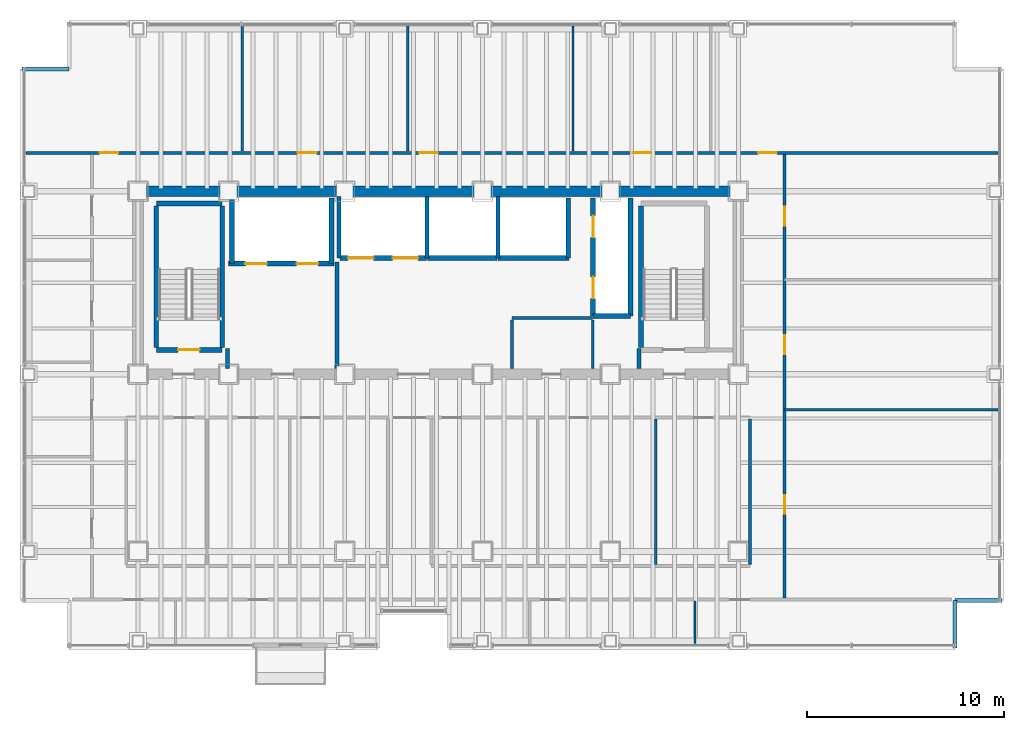
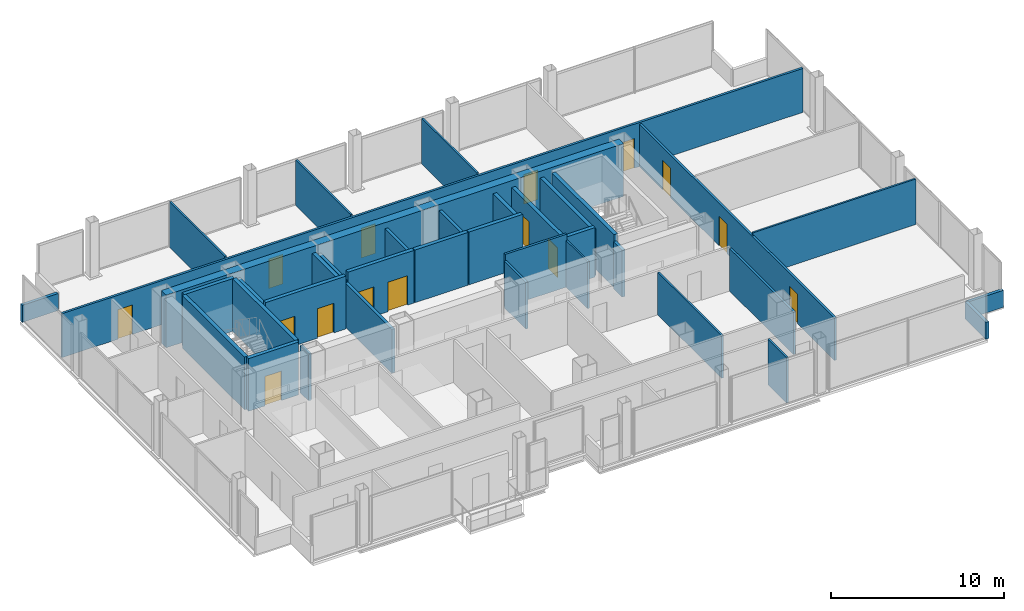
# One storey, part 18 of 20: 37 walls, 15 doors, 15 openings.
"""IFC4 building model written with IfcOpenShell, lengths in metres."""

from ifc_helpers import new_model, si_unit, direction, frame, frame_2d, origin, place, context, subcontext, project, spatial, rectangle, extrude, material, layer, layer_set, type_object, element, fill, save


model = new_model("IFC4")

# Units and contexts
model_context = context("Model", 3, precision=1e-05, world=origin(), true_north=direction((0.0, 1.0)))
body_context = subcontext(model_context, "Body", "Model", "MODEL_VIEW")
ifc_project = project(units=[si_unit("LENGTHUNIT", "METRE"), si_unit("AREAUNIT", "SQUARE_METRE"), si_unit("VOLUMEUNIT", "CUBIC_METRE"), si_unit("PLANEANGLEUNIT", "RADIAN"), si_unit("MASSUNIT", "GRAM", prefix="KILO")], contexts=[model_context])

# Site, building, storey
site_placement = place(None, origin())
site = spatial("IfcSite", under=ifc_project, at=site_placement, CompositionType="ELEMENT")
building_placement = place(site_placement, origin())
building = spatial("IfcBuilding", under=site, at=building_placement, Name="Noeulbin Bourse Tower", CompositionType="ELEMENT")
storey_placement = place(building_placement, frame((0.0, 0.0, 57.699951171875)))
storey = spatial("IfcBuildingStorey", under=building, at=storey_placement, Name="L14", CompositionType="ELEMENT", Elevation=57.699951171875)

# Walls
ifc_material_1 = material(Name="Concrete C60/75", Category="concrete")
ifc_layer_1 = layer(ifc_material_1, 0.550048828125)
ifc_layer_set_1 = layer_set([ifc_layer_1], Name="Concrete C60/75")
wall_type_1 = type_object("IfcWallType", Name="WAL-CORE-550", PredefinedType="SHEAR", material=ifc_layer_set_1)
wall_1_placement = place(storey_placement, frame((13.5, 38.300048828125, 0.0), z_axis=(0.0, 0.0, 1.0), x_axis=(1.0, 0.0, 0.0)))
element("IfcWall", 1, at=wall_1_placement, inside=storey, type_object=wall_type_1, Name="Rear Core North Shear Wall L14", PredefinedType="SHEAR", context=body_context, shape_type="SweptSolid", body=[
    extrude(rectangle(XDim=30.5, YDim=0.550048828125, at=frame_2d((15.25, 0.0))), origin(), (0.0, 0.0, 1.0), 3.719970703125),
])
ifc_material_2 = material(Name="Concrete C40/50", Category="concrete")
ifc_layer_2 = layer(ifc_material_2, 0.199951171875)
ifc_layer_set_2 = layer_set([ifc_layer_2], Name="Concrete C40/50")
wall_type_2 = type_object("IfcWallType", Name="WAL-FIRE-200", PredefinedType="STANDARD", material=ifc_layer_set_2)
for number, where, z_axis, x_axis, name in (
    (2, (18.050048828125, 29.284912109375, 0.0), (0.0, 0.0, 1.0), (0.0, 1.0, 0.0), "Interior Partition Wall L14-13"),
    (3, (38.949951171875, 29.284912109375, 0.0), (0.0, 0.0, 1.0), (0.0, 1.0, 0.0), "Interior Partition Wall L14-14"),
):
    element("IfcWall", number, at=place(storey_placement, frame(where, z_axis=z_axis, x_axis=x_axis)), inside=storey, type_object=wall_type_2, Name=name, PredefinedType="STANDARD", context=body_context, shape_type="SweptSolid", body=[
        extrude(rectangle(XDim=1.01513671875, YDim=0.199951171875, at=frame_2d((0.507568359375, 0.0))), origin(), (0.0, 0.0, 1.0), 3.300048828125),
    ])
wall_2_placement = place(storey_placement, frame((23.60009765625, 29.284912109375, 0.0), z_axis=(0.0, 0.0, 1.0), x_axis=(0.0, 1.0, 0.0)))
element("IfcWall", 4, at=wall_2_placement, inside=storey, type_object=wall_type_2, Name="Interior Partition Wall L14-15", PredefinedType="STANDARD", context=body_context, shape_type="SweptSolid", body=[
    extrude(rectangle(XDim=5.4150390625, YDim=0.199951171875, at=frame_2d((2.70751953125, 0.0))), origin(), (0.0, 0.0, 1.0), 3.10009765625),
])
ifc_layer_3 = layer(ifc_material_2, 0.199951171875)
ifc_layer_set_3 = layer_set([ifc_layer_3], Name="Concrete C40/50")
wall_type_3 = type_object("IfcWallType", Name="WAL-PAR-200", PredefinedType="PARAPET", material=ifc_layer_set_3)
for number, where, z_axis, x_axis, name in (
    (5, (55.0, 15.10009765625, 0.0), (0.0, 0.0, 1.0), (0.0, 1.0, 0.0), "Corner Notch Parapet L14-SE1"),
    (6, (55.0, 17.5, 0.0), (0.0, 0.0, 1.0), (1.0, 0.0, 0.0), "Corner Notch Parapet L14-SE2"),
    (7, (7.60009765625, 44.5, 0.0), (0.0, 0.0, 1.0), (1.0, 0.0, 0.0), "Corner Notch Parapet L14-NW1"),
):
    element("IfcWall", number, at=place(storey_placement, frame(where, z_axis=z_axis, x_axis=x_axis)), inside=storey, type_object=wall_type_3, Name=name, PredefinedType="PARAPET", context=body_context, shape_type="SweptSolid", body=[
        extrude(rectangle(XDim=2.39990234375, YDim=0.199951171875, at=frame_2d((1.199951171875, 0.0))), origin(), (0.0, 0.0, 1.0), 1.199951171875),
    ])
ifc_material_3 = material(Name="Steel Stud Gypsum Partition", Category="steel")
ifc_layer_4 = layer(ifc_material_3, 0.1201171875)
ifc_layer_set_4 = layer_set([ifc_layer_4], Name="Steel Stud Gypsum Partition")
wall_type_4 = type_object("IfcWallType", Name="WAL-PRT-120", PredefinedType="PARTITIONING", material=ifc_layer_set_4)
wall_3_placement = place(storey_placement, frame((46.35009765625, 27.199951171875, 0.0), z_axis=(0.0, 0.0, 1.0), x_axis=(1.0, 0.0, 0.0)))
element("IfcWall", 8, at=wall_3_placement, inside=storey, type_object=wall_type_4, Name="Interior Partition Wall L14-10", PredefinedType="PARTITIONING", context=body_context, shape_type="SweptSolid", body=[
    extrude(rectangle(XDim=10.83984375, YDim=0.1201171875, at=frame_2d((5.419921875, 0.0))), origin(), (0.0, 0.0, 1.0), 3.212158203125),
])
wall_4_placement = place(storey_placement, frame((36.60009765625, 29.284912109375, 0.0), z_axis=(0.0, 0.0, 1.0), x_axis=(0.0, 1.0, 0.0)))
element("IfcWall", 9, at=wall_4_placement, inside=storey, type_object=wall_type_4, Name="Interior Partition Wall L14-17", PredefinedType="PARTITIONING", context=body_context, shape_type="SweptSolid", body=[
    extrude(rectangle(XDim=2.47998046875, YDim=0.1201171875, at=frame_2d((1.239990234375, 0.0))), origin(), (0.0, 0.0, 1.0), 3.300048828125),
])
wall_5_placement = place(storey_placement, frame((41.800048828125, 15.31005859375, 0.0), z_axis=(0.0, 0.0, 1.0), x_axis=(0.0, 1.0, 0.0)))
element("IfcWall", 10, at=wall_5_placement, inside=storey, type_object=wall_type_4, Name="Interior Partition Wall L14-26", PredefinedType="PARTITIONING", context=body_context, shape_type="SweptSolid", body=[
    extrude(rectangle(XDim=2.155029296875, YDim=0.1201171875, at=frame_2d((1.07763671875, 0.0))), origin(), (0.0, 0.0, 1.0), 3.212158203125),
])
wall_6_placement = place(storey_placement, frame((39.800048828125, 19.3349609375, 0.0), z_axis=(0.0, 0.0, 1.0), x_axis=(0.0, 1.0, 0.0)))
element("IfcWall", 11, at=wall_6_placement, inside=storey, type_object=wall_type_4, Name="Interior Partition Wall L14-30", PredefinedType="PARTITIONING", context=body_context, shape_type="SweptSolid", body=[
    extrude(rectangle(XDim=7.380126953125, YDim=0.1201171875, at=frame_2d((3.68994140625, 0.0))), origin(), (0.0, 0.0, 1.0), 3.0),
])
for number, where, z_axis, x_axis, name in (
    (12, (18.800048828125, 40.3349609375, 0.0), (0.0, 0.0, 1.0), (0.0, 1.0, 0.0), "Interior Partition Wall L14-31"),
    (13, (27.199951171875, 40.3349609375, 0.0), (0.0, 0.0, 1.0), (0.0, 1.0, 0.0), "Interior Partition Wall L14-32"),
    (14, (35.60009765625, 40.3349609375, 0.0), (0.0, 0.0, 1.0), (0.0, 1.0, 0.0), "Interior Partition Wall L14-33"),
):
    element("IfcWall", number, at=place(storey_placement, frame(where, z_axis=z_axis, x_axis=x_axis)), inside=storey, type_object=wall_type_4, Name=name, PredefinedType="PARTITIONING", context=body_context, shape_type="SweptSolid", body=[
        extrude(rectangle(XDim=6.35498046875, YDim=0.1201171875, at=frame_2d((3.177490234375, 0.0))), origin(), (0.0, 0.0, 1.0), 3.212158203125),
    ])
ifc_material_4 = material(Name="Steel Stud Acoustic Gypsum Board", Category="steel")
ifc_layer_5 = layer(ifc_material_4, 0.14990234375)
ifc_layer_set_5 = layer_set([ifc_layer_5], Name="Steel Stud Acoustic Gypsum Board")
wall_type_5 = type_object("IfcWallType", Name="WAL-PRT-150", PredefinedType="PARTITIONING", material=ifc_layer_set_5)
wall_7_placement = place(storey_placement, frame((32.5, 31.85009765625, 0.0), z_axis=(0.0, 0.0, 1.0), x_axis=(1.0, 0.0, 0.0)))
element("IfcWall", 15, at=wall_7_placement, inside=storey, type_object=wall_type_5, Name="Interior Partition Wall L14-02", PredefinedType="PARTITIONING", context=body_context, shape_type="SweptSolid", body=[
    extrude(rectangle(XDim=4.10009765625, YDim=0.14990234375, at=frame_2d((2.050048828125, 0.0))), origin(), (0.0, 0.0, 1.0), 3.719970703125),
])

# Wall, openings, doors
wall_8_placement = place(storey_placement, frame((7.81005859375, 40.25, 0.0), z_axis=(0.0, 0.0, 1.0), x_axis=(1.0, 0.0, 0.0)))
wall_8 = element("IfcWall", 16, at=wall_8_placement, inside=storey, type_object=wall_type_5, Name="Interior Partition Wall L14-12", PredefinedType="PARTITIONING", context=body_context, shape_type="SweptSolid", body=[
    extrude(rectangle(XDim=49.3798828125, YDim=0.14990234375, at=frame_2d((24.68994140625, 0.0))), origin(), (0.0, 0.0, 1.0), 3.10009765625),
])
opening_1_placement = place(wall_8_placement, frame((3.72998046875, 0.0, 0.0)))
opening_1 = element("IfcOpeningElement", 17, at=opening_1_placement, cuts=wall_8, Name="Opening ID-09", PredefinedType="OPENING", context=body_context, shape_type="SweptSolid", body=[
    extrude(rectangle(XDim=0.949951171875, YDim=2.080078125, at=frame_2d((0.47509765625, 1.0400390625))), frame((0.0, 0.0849609375, 0.0), z_axis=(0.0, -1.0, 0.0), x_axis=(1.0, 0.0, 0.0)), (0.0, 0.0, 1.0), 0.169921875),
])
opening_2_placement = place(wall_8_placement, frame((13.81494140625, 0.0, 0.0)))
opening_2 = element("IfcOpeningElement", 18, at=opening_2_placement, cuts=wall_8, Name="Opening ID-09", PredefinedType="OPENING", context=body_context, shape_type="SweptSolid", body=[
    extrude(rectangle(XDim=0.949951171875, YDim=2.080078125, at=frame_2d((0.47509765625, 1.0400390625))), frame((0.0, 0.0849609375, 0.0), z_axis=(0.0, -1.0, 0.0), x_axis=(1.0, 0.0, 0.0)), (0.0, 0.0, 1.0), 0.169921875),
])
opening_3_placement = place(wall_8_placement, frame((19.965087890625, 0.0, 0.0)))
opening_3 = element("IfcOpeningElement", 19, at=opening_3_placement, cuts=wall_8, Name="Opening ID-09", PredefinedType="OPENING", context=body_context, shape_type="SweptSolid", body=[
    extrude(rectangle(XDim=0.949951171875, YDim=2.080078125, at=frame_2d((0.47509765625, 1.0400390625))), frame((0.0, 0.0849609375, 0.0), z_axis=(0.0, -1.0, 0.0), x_axis=(1.0, 0.0, 0.0)), (0.0, 0.0, 1.0), 0.169921875),
])
opening_4_placement = place(wall_8_placement, frame((30.81494140625, 0.0, 0.0)))
opening_4 = element("IfcOpeningElement", 20, at=opening_4_placement, cuts=wall_8, Name="Opening ID-09", PredefinedType="OPENING", context=body_context, shape_type="SweptSolid", body=[
    extrude(rectangle(XDim=0.949951171875, YDim=2.080078125, at=frame_2d((0.47509765625, 1.0400390625))), frame((0.0, 0.0849609375, 0.0), z_axis=(0.0, -1.0, 0.0), x_axis=(1.0, 0.0, 0.0)), (0.0, 0.0, 1.0), 0.169921875),
])
opening_5_placement = place(wall_8_placement, frame((37.199951171875, 0.0, 0.0)))
opening_5 = element("IfcOpeningElement", 21, at=opening_5_placement, cuts=wall_8, Name="Opening ID-09", PredefinedType="OPENING", context=body_context, shape_type="SweptSolid", body=[
    extrude(rectangle(XDim=0.949951171875, YDim=2.080078125, at=frame_2d((0.47509765625, 1.0400390625))), frame((0.0, 0.0849609375, 0.0), z_axis=(0.0, -1.0, 0.0), x_axis=(1.0, 0.0, 0.0)), (0.0, 0.0, 1.0), 0.169921875),
])
ifc_material_5 = material(Name="Acoustic Solid-Core Timber", Category="wood")
door_type_1 = type_object("IfcDoorType", Name="DR-SINGLE-950", OperationType="SINGLE_SWING_LEFT", PredefinedType="DOOR", material=ifc_material_5)
door_1_placement = place(opening_1_placement, origin())
door_1 = element("IfcDoor", 22, at=door_1_placement, inside=storey, type_object=door_type_1, Name="Interior Door L14-24", OperationType="SINGLE_SWING_RIGHT", OverallHeight=2.080078125, OverallWidth=0.949951171875, PredefinedType="DOOR", context=body_context, shape_type="SweptSolid", body=[
    extrude(rectangle(XDim=0.949951171875, YDim=2.080078125, at=frame_2d((0.47509765625, 1.0400390625))), frame((0.0, 0.02490234375, 0.0), z_axis=(0.0, -1.0, 0.0), x_axis=(1.0, 0.0, 0.0)), (0.0, 0.0, 1.0), 0.050048828125),
])
fill(opening_1, door_1)
door_2_placement = place(opening_2_placement, origin())
door_2 = element("IfcDoor", 23, at=door_2_placement, inside=storey, type_object=door_type_1, Name="Interior Door L14-25", OperationType="SINGLE_SWING_LEFT", OverallHeight=2.080078125, OverallWidth=0.949951171875, PredefinedType="DOOR", context=body_context, shape_type="SweptSolid", body=[
    extrude(rectangle(XDim=0.949951171875, YDim=2.080078125, at=frame_2d((0.47509765625, 1.0400390625))), frame((0.0, 0.02490234375, 0.0), z_axis=(0.0, -1.0, 0.0), x_axis=(1.0, 0.0, 0.0)), (0.0, 0.0, 1.0), 0.050048828125),
])
fill(opening_2, door_2)
door_3_placement = place(opening_3_placement, origin())
door_3 = element("IfcDoor", 24, at=door_3_placement, inside=storey, type_object=door_type_1, Name="Interior Door L14-26", OperationType="SINGLE_SWING_RIGHT", OverallHeight=2.080078125, OverallWidth=0.949951171875, PredefinedType="DOOR", context=body_context, shape_type="SweptSolid", body=[
    extrude(rectangle(XDim=0.949951171875, YDim=2.080078125, at=frame_2d((0.47509765625, 1.0400390625))), frame((0.0, 0.02490234375, 0.0), z_axis=(0.0, -1.0, 0.0), x_axis=(1.0, 0.0, 0.0)), (0.0, 0.0, 1.0), 0.050048828125),
])
fill(opening_3, door_3)
door_4_placement = place(opening_4_placement, origin())
door_4 = element("IfcDoor", 25, at=door_4_placement, inside=storey, type_object=door_type_1, Name="Interior Door L14-27", OperationType="SINGLE_SWING_LEFT", OverallHeight=2.080078125, OverallWidth=0.949951171875, PredefinedType="DOOR", context=body_context, shape_type="SweptSolid", body=[
    extrude(rectangle(XDim=0.949951171875, YDim=2.080078125, at=frame_2d((0.47509765625, 1.0400390625))), frame((0.0, 0.02490234375, 0.0), z_axis=(0.0, -1.0, 0.0), x_axis=(1.0, 0.0, 0.0)), (0.0, 0.0, 1.0), 0.050048828125),
])
fill(opening_4, door_4)
door_5_placement = place(opening_5_placement, origin())
door_5 = element("IfcDoor", 26, at=door_5_placement, inside=storey, type_object=door_type_1, Name="Interior Door L14-28", OperationType="SINGLE_SWING_RIGHT", OverallHeight=2.080078125, OverallWidth=0.949951171875, PredefinedType="DOOR", context=body_context, shape_type="SweptSolid", body=[
    extrude(rectangle(XDim=0.949951171875, YDim=2.080078125, at=frame_2d((0.47509765625, 1.0400390625))), frame((0.0, 0.02490234375, 0.0), z_axis=(0.0, -1.0, 0.0), x_axis=(1.0, 0.0, 0.0)), (0.0, 0.0, 1.0), 0.050048828125),
])
fill(opening_5, door_5)

# Wall
wall_9_placement = place(storey_placement, frame((32.5, 29.284912109375, 0.0), z_axis=(0.0, 0.0, 1.0), x_axis=(0.0, 1.0, 0.0)))
element("IfcWall", 27, at=wall_9_placement, inside=storey, type_object=wall_type_5, Name="Interior Partition Wall L14-16", PredefinedType="PARTITIONING", context=body_context, shape_type="SweptSolid", body=[
    extrude(rectangle(XDim=2.47998046875, YDim=0.14990234375, at=frame_2d((1.239990234375, 0.0))), origin(), (0.0, 0.0, 1.0), 3.300048828125),
])

# Wall, openings, doors
wall_10_placement = place(storey_placement, frame((46.35009765625, 17.635009765625, 0.0), z_axis=(0.0, 0.0, 1.0), x_axis=(0.0, 1.0, 0.0)))
wall_10 = element("IfcWall", 28, at=wall_10_placement, inside=storey, type_object=wall_type_5, Name="Interior Partition Wall L14-22", PredefinedType="PARTITIONING", context=body_context, shape_type="SweptSolid", body=[
    extrude(rectangle(XDim=22.530029296875, YDim=0.14990234375, at=frame_2d((11.26513671875, 0.0))), origin(), (0.0, 0.0, 1.0), 3.0),
])
opening_6_placement = place(wall_10_placement, frame((4.264892578125, 0.0, 0.0)))
opening_6 = element("IfcOpeningElement", 29, at=opening_6_placement, cuts=wall_10, Name="Opening ID-09", PredefinedType="OPENING", context=body_context, shape_type="SweptSolid", body=[
    extrude(rectangle(XDim=0.949951171875, YDim=2.080078125, at=frame_2d((0.47509765625, 1.0400390625))), frame((0.0, 0.0849609375, 0.0), z_axis=(0.0, -1.0, 0.0), x_axis=(1.0, 0.0, 0.0)), (0.0, 0.0, 1.0), 0.169921875),
])
opening_7_placement = place(wall_10_placement, frame((12.389892578125, 0.0, 0.0)))
opening_7 = element("IfcOpeningElement", 30, at=opening_7_placement, cuts=wall_10, Name="Opening ID-09", PredefinedType="OPENING", context=body_context, shape_type="SweptSolid", body=[
    extrude(rectangle(XDim=0.949951171875, YDim=2.080078125, at=frame_2d((0.47509765625, 1.0400390625))), frame((0.0, 0.0849609375, 0.0), z_axis=(0.0, -1.0, 0.0), x_axis=(1.0, 0.0, 0.0)), (0.0, 0.0, 1.0), 0.169921875),
])
opening_8_placement = place(wall_10_placement, frame((18.9150390625, 0.0, 0.0)))
opening_8 = element("IfcOpeningElement", 31, at=opening_8_placement, cuts=wall_10, Name="Opening ID-09", PredefinedType="OPENING", context=body_context, shape_type="SweptSolid", body=[
    extrude(rectangle(XDim=0.949951171875, YDim=2.080078125, at=frame_2d((0.47509765625, 1.0400390625))), frame((0.0, 0.0849609375, 0.0), z_axis=(0.0, -1.0, 0.0), x_axis=(1.0, 0.0, 0.0)), (0.0, 0.0, 1.0), 0.169921875),
])
door_6_placement = place(opening_6_placement, origin())
door_6 = element("IfcDoor", 32, at=door_6_placement, inside=storey, type_object=door_type_1, Name="Interior Door L14-21", OperationType="SINGLE_SWING_LEFT", OverallHeight=2.080078125, OverallWidth=0.949951171875, PredefinedType="DOOR", context=body_context, shape_type="SweptSolid", body=[
    extrude(rectangle(XDim=0.949951171875, YDim=2.080078125, at=frame_2d((0.47509765625, 1.0400390625))), frame((0.0, 0.02490234375, 0.0), z_axis=(0.0, -1.0, 0.0), x_axis=(1.0, 0.0, 0.0)), (0.0, 0.0, 1.0), 0.050048828125),
])
fill(opening_6, door_6)
door_7_placement = place(opening_7_placement, origin())
door_7 = element("IfcDoor", 33, at=door_7_placement, inside=storey, type_object=door_type_1, Name="Interior Door L14-22", OperationType="SINGLE_SWING_RIGHT", OverallHeight=2.080078125, OverallWidth=0.949951171875, PredefinedType="DOOR", context=body_context, shape_type="SweptSolid", body=[
    extrude(rectangle(XDim=0.949951171875, YDim=2.080078125, at=frame_2d((0.47509765625, 1.0400390625))), frame((0.0, 0.02490234375, 0.0), z_axis=(0.0, -1.0, 0.0), x_axis=(1.0, 0.0, 0.0)), (0.0, 0.0, 1.0), 0.050048828125),
])
fill(opening_7, door_7)
door_8_placement = place(opening_8_placement, origin())
door_8 = element("IfcDoor", 34, at=door_8_placement, inside=storey, type_object=door_type_1, Name="Interior Door L14-23", OperationType="SINGLE_SWING_LEFT", OverallHeight=2.080078125, OverallWidth=0.949951171875, PredefinedType="DOOR", context=body_context, shape_type="SweptSolid", body=[
    extrude(rectangle(XDim=0.949951171875, YDim=2.080078125, at=frame_2d((0.47509765625, 1.0400390625))), frame((0.0, 0.02490234375, 0.0), z_axis=(0.0, -1.0, 0.0), x_axis=(1.0, 0.0, 0.0)), (0.0, 0.0, 1.0), 0.050048828125),
])
fill(opening_8, door_8)

# Wall
wall_11_placement = place(storey_placement, frame((44.60009765625, 19.3349609375, 0.0), z_axis=(0.0, 0.0, 1.0), x_axis=(0.0, 1.0, 0.0)))
element("IfcWall", 35, at=wall_11_placement, inside=storey, type_object=wall_type_5, Name="Interior Partition Wall L14-23", PredefinedType="PARTITIONING", context=body_context, shape_type="SweptSolid", body=[
    extrude(rectangle(XDim=7.380126953125, YDim=0.14990234375, at=frame_2d((3.68994140625, 0.0))), origin(), (0.0, 0.0, 1.0), 3.0),
])

# Wall, opening, door
ifc_layer_6 = layer(ifc_material_2, 0.25)
ifc_layer_set_6 = layer_set([ifc_layer_6], Name="Concrete C40/50")
wall_type_6 = type_object("IfcWallType", Name="WAL-SHFT-250", PredefinedType="STANDARD", material=ifc_layer_set_6)
wall_12_placement = place(storey_placement, frame((14.429931640625, 30.235107421875, 0.0), z_axis=(0.0, 0.0, 1.0), x_axis=(1.0, 0.0, 0.0)))
wall_12 = element("IfcWall", 36, at=wall_12_placement, inside=storey, type_object=wall_type_6, Name="Stair ST-1 South Shaft Wall L14", PredefinedType="STANDARD", context=body_context, shape_type="SweptSolid", body=[
    extrude(rectangle(XDim=3.340087890625, YDim=0.25, at=frame_2d((1.669921875, 0.0))), origin(), (0.0, 0.0, 1.0), 3.719970703125),
])
opening_9_placement = place(wall_12_placement, frame((1.10009765625, 0.0, 0.0)))
opening_9 = element("IfcOpeningElement", 37, at=opening_9_placement, cuts=wall_12, Name="Opening FD-11", PredefinedType="OPENING", context=body_context, shape_type="SweptSolid", body=[
    extrude(rectangle(XDim=1.10009765625, YDim=2.080078125, at=frame_2d((0.550048828125, 1.0400390625))), frame((0.0, 0.135009765625, 0.0), z_axis=(0.0, -1.0, 0.0), x_axis=(1.0, 0.0, 0.0)), (0.0, 0.0, 1.0), 0.27001953125),
])
ifc_material_6 = material(Name="Fire-Rated Insulated Steel", Category="steel")
door_type_2 = type_object("IfcDoorType", Name="DR-FD60-1100", OperationType="SINGLE_SWING_LEFT", PredefinedType="DOOR", material=ifc_material_6)
door_9_placement = place(opening_9_placement, origin())
door_9 = element("IfcDoor", 38, at=door_9_placement, inside=storey, type_object=door_type_2, Name="Protected Stair Entry Door ST1-L14", OperationType="SINGLE_SWING_LEFT", OverallHeight=2.080078125, OverallWidth=1.10009765625, PredefinedType="DOOR", context=body_context, shape_type="SweptSolid", body=[
    extrude(rectangle(XDim=1.10009765625, YDim=2.080078125, at=frame_2d((0.550048828125, 1.0400390625))), frame((0.0, 0.02490234375, 0.0), z_axis=(0.0, -1.0, 0.0), x_axis=(1.0, 0.0, 0.0)), (0.0, 0.0, 1.0), 0.050048828125),
])
fill(opening_9, door_9)

# Walls
wall_13_placement = place(storey_placement, frame((14.429931640625, 37.6689453125, 0.0), z_axis=(0.0, 0.0, 1.0), x_axis=(1.0, 0.0, 0.0)))
element("IfcWall", 39, at=wall_13_placement, inside=storey, type_object=wall_type_6, Name="Stair ST-1 North Shaft Wall L14", PredefinedType="STANDARD", context=body_context, shape_type="SweptSolid", body=[
    extrude(rectangle(XDim=3.340087890625, YDim=0.25, at=frame_2d((1.669921875, 0.0))), origin(), (0.0, 0.0, 1.0), 3.719970703125),
])
for number, where, z_axis, x_axis, name in (
    (40, (14.425048828125, 30.360107421875, 0.0), (0.0, 0.0, 1.0), (0.0, 1.0, 0.0), "Stair ST-1 West Shaft Wall L14"),
    (41, (17.77490234375, 30.360107421875, 0.0), (0.0, 0.0, 1.0), (0.0, 1.0, 0.0), "Stair ST-1 East Shaft Wall L14"),
    (42, (39.054931640625, 30.360107421875, 0.0), (0.0, 0.0, 1.0), (0.0, 1.0, 0.0), "Stair ST-2 West Shaft Wall L14"),
):
    element("IfcWall", number, at=place(storey_placement, frame(where, z_axis=z_axis, x_axis=x_axis)), inside=storey, type_object=wall_type_6, Name=name, PredefinedType="STANDARD", context=body_context, shape_type="SweptSolid", body=[
        extrude(rectangle(XDim=7.183837890625, YDim=0.25, at=frame_2d((3.591796875, 0.0))), origin(), (0.0, 0.0, 1.0), 3.719970703125),
    ])

# Wall, openings, doors
wall_14_placement = place(storey_placement, frame((18.10009765625, 34.6201171875, 0.0), z_axis=(0.0, 0.0, 1.0), x_axis=(1.0, 0.0, 0.0)))
wall_14 = element("IfcWall", 43, at=wall_14_placement, inside=storey, type_object=wall_type_6, Name="Firefighting Lift Shaft Front L14", PredefinedType="STANDARD", context=body_context, shape_type="SweptSolid", body=[
    extrude(rectangle(XDim=5.349853515625, YDim=0.25, at=frame_2d((2.6748046875, 0.0))), origin(), (0.0, 0.0, 1.0), 3.719970703125),
])
opening_10_placement = place(wall_14_placement, frame((0.85009765625, 0.0, 0.0)))
opening_10 = element("IfcOpeningElement", 44, at=opening_10_placement, cuts=wall_14, Name="Opening LD-11", PredefinedType="OPENING", context=body_context, shape_type="SweptSolid", body=[
    extrude(rectangle(XDim=1.10009765625, YDim=2.080078125, at=frame_2d((0.550048828125, 1.0400390625))), frame((0.0, 0.135009765625, 0.0), z_axis=(0.0, -1.0, 0.0), x_axis=(1.0, 0.0, 0.0)), (0.0, 0.0, 1.0), 0.27001953125),
])
opening_11_placement = place(wall_14_placement, frame((3.449951171875, 0.0, 0.0)))
opening_11 = element("IfcOpeningElement", 45, at=opening_11_placement, cuts=wall_14, Name="Opening LD-11", PredefinedType="OPENING", context=body_context, shape_type="SweptSolid", body=[
    extrude(rectangle(XDim=1.10009765625, YDim=2.080078125, at=frame_2d((0.550048828125, 1.0400390625))), frame((0.0, 0.135009765625, 0.0), z_axis=(0.0, -1.0, 0.0), x_axis=(1.0, 0.0, 0.0)), (0.0, 0.0, 1.0), 0.27001953125),
])
ifc_material_7 = material(Name="Brushed Stainless Steel 316", Category="steel")
door_type_3 = type_object("IfcDoorType", Name="DR-LIFT-1100", OperationType="SLIDING_TO_LEFT", PredefinedType="DOOR", material=ifc_material_7)
door_10_placement = place(opening_10_placement, origin())
door_10 = element("IfcDoor", 46, at=door_10_placement, inside=storey, type_object=door_type_3, Name="Lift Landing Door LD-FL-01-L14", OperationType="SLIDING_TO_LEFT", OverallHeight=2.080078125, OverallWidth=1.10009765625, PredefinedType="DOOR", context=body_context, shape_type="SweptSolid", body=[
    extrude(rectangle(XDim=1.10009765625, YDim=2.080078125, at=frame_2d((0.550048828125, 1.0400390625))), frame((0.0, 0.02490234375, 0.0), z_axis=(0.0, -1.0, 0.0), x_axis=(1.0, 0.0, 0.0)), (0.0, 0.0, 1.0), 0.050048828125),
])
fill(opening_10, door_10)
door_11_placement = place(opening_11_placement, origin())
door_11 = element("IfcDoor", 47, at=door_11_placement, inside=storey, type_object=door_type_3, Name="Lift Landing Door LD-FL-02-L14", OperationType="SLIDING_TO_LEFT", OverallHeight=2.080078125, OverallWidth=1.10009765625, PredefinedType="DOOR", context=body_context, shape_type="SweptSolid", body=[
    extrude(rectangle(XDim=1.10009765625, YDim=2.080078125, at=frame_2d((0.550048828125, 1.0400390625))), frame((0.0, 0.02490234375, 0.0), z_axis=(0.0, -1.0, 0.0), x_axis=(1.0, 0.0, 0.0)), (0.0, 0.0, 1.0), 0.050048828125),
])
fill(opening_11, door_11)

wall_15_placement = place(storey_placement, frame((36.6201171875, 31.949951171875, 0.0), z_axis=(0.0, 0.0, 1.0), x_axis=(0.0, 1.0, 0.0)))
wall_15 = element("IfcWall", 48, at=wall_15_placement, inside=storey, type_object=wall_type_6, Name="Service Lift Shaft Wall L14", PredefinedType="STANDARD", context=body_context, shape_type="SweptSolid", body=[
    extrude(rectangle(XDim=6.0, YDim=0.25, at=frame_2d((3.0, 0.0))), origin(), (0.0, 0.0, 1.0), 3.300048828125),
])
opening_12_placement = place(wall_15_placement, frame((0.89990234375, 0.0, 0.0)))
opening_12 = element("IfcOpeningElement", 49, at=opening_12_placement, cuts=wall_15, Name="Opening LD-11", PredefinedType="OPENING", context=body_context, shape_type="SweptSolid", body=[
    extrude(rectangle(XDim=1.10009765625, YDim=2.080078125, at=frame_2d((0.550048828125, 1.0400390625))), frame((0.0, 0.135009765625, 0.0), z_axis=(0.0, -1.0, 0.0), x_axis=(1.0, 0.0, 0.0)), (0.0, 0.0, 1.0), 0.27001953125),
])
opening_13_placement = place(wall_15_placement, frame((4.0, 0.0, 0.0)))
opening_13 = element("IfcOpeningElement", 50, at=opening_13_placement, cuts=wall_15, Name="Opening LD-11", PredefinedType="OPENING", context=body_context, shape_type="SweptSolid", body=[
    extrude(rectangle(XDim=1.10009765625, YDim=2.080078125, at=frame_2d((0.550048828125, 1.0400390625))), frame((0.0, 0.135009765625, 0.0), z_axis=(0.0, -1.0, 0.0), x_axis=(1.0, 0.0, 0.0)), (0.0, 0.0, 1.0), 0.27001953125),
])
door_12_placement = place(opening_12_placement, origin())
door_12 = element("IfcDoor", 51, at=door_12_placement, inside=storey, type_object=door_type_3, Name="Lift Landing Door LD-EL-01-L14", OperationType="SLIDING_TO_LEFT", OverallHeight=2.080078125, OverallWidth=1.10009765625, PredefinedType="DOOR", context=body_context, shape_type="SweptSolid", body=[
    extrude(rectangle(XDim=1.10009765625, YDim=2.080078125, at=frame_2d((0.550048828125, 1.0400390625))), frame((0.0, 0.02490234375, 0.0), z_axis=(0.0, -1.0, 0.0), x_axis=(1.0, 0.0, 0.0)), (0.0, 0.0, 1.0), 0.050048828125),
])
fill(opening_12, door_12)
door_13_placement = place(opening_13_placement, origin())
door_13 = element("IfcDoor", 52, at=door_13_placement, inside=storey, type_object=door_type_3, Name="Lift Landing Door LD-SV-01-L14", OperationType="SLIDING_TO_LEFT", OverallHeight=2.080078125, OverallWidth=1.10009765625, PredefinedType="DOOR", context=body_context, shape_type="SweptSolid", body=[
    extrude(rectangle(XDim=1.10009765625, YDim=2.080078125, at=frame_2d((0.550048828125, 1.0400390625))), frame((0.0, 0.02490234375, 0.0), z_axis=(0.0, -1.0, 0.0), x_axis=(1.0, 0.0, 0.0)), (0.0, 0.0, 1.0), 0.050048828125),
])
fill(opening_13, door_13)

# Walls
wall_16_placement = place(storey_placement, frame((38.52001953125, 31.949951171875, 0.0), z_axis=(0.0, 0.0, 1.0), x_axis=(0.0, 1.0, 0.0)))
element("IfcWall", 53, at=wall_16_placement, inside=storey, type_object=wall_type_6, Name="Service Lift East Shaft Wall L14", PredefinedType="STANDARD", context=body_context, shape_type="SweptSolid", body=[
    extrude(rectangle(XDim=6.0, YDim=0.25, at=frame_2d((3.0, 0.0))), origin(), (0.0, 0.0, 1.0), 3.300048828125),
])
wall_17_placement = place(storey_placement, frame((36.6201171875, 31.949951171875, 0.0), z_axis=(0.0, 0.0, 1.0), x_axis=(1.0, 0.0, 0.0)))
element("IfcWall", 54, at=wall_17_placement, inside=storey, type_object=wall_type_6, Name="Service Lift South Shaft Wall L14", PredefinedType="STANDARD", context=body_context, shape_type="SweptSolid", body=[
    extrude(rectangle(XDim=1.89990234375, YDim=0.25, at=frame_2d((0.949951171875, 0.0))), origin(), (0.0, 0.0, 1.0), 3.47998046875),
])
for number, where, z_axis, x_axis, name in (
    (55, (18.280029296875, 34.6201171875, 0.0), (0.0, 0.0, 1.0), (0.0, 1.0, 0.0), "Firefighting Lift West Shaft Wall L14"),
    (56, (23.320068359375, 34.6201171875, 0.0), (0.0, 0.0, 1.0), (0.0, 1.0, 0.0), "Firefighting Lift East Shaft Wall L14"),
):
    element("IfcWall", number, at=place(storey_placement, frame(where, z_axis=z_axis, x_axis=x_axis)), inside=storey, type_object=wall_type_6, Name=name, PredefinedType="STANDARD", context=body_context, shape_type="SweptSolid", body=[
        extrude(rectangle(XDim=3.329833984375, YDim=0.25, at=frame_2d((1.6650390625, 0.0))), origin(), (0.0, 0.0, 1.0), 3.300048828125),
    ])
wall_18_placement = place(storey_placement, frame((35.360107421875, 34.89990234375, 0.0), z_axis=(0.0, 0.0, 1.0), x_axis=(0.0, 1.0, 0.0)))
element("IfcWall", 57, at=wall_18_placement, inside=storey, type_object=wall_type_6, Name="High-Rise Lift East Shaft Wall L14", PredefinedType="STANDARD", context=body_context, shape_type="SweptSolid", body=[
    extrude(rectangle(XDim=3.050048828125, YDim=0.25, at=frame_2d((1.52490234375, 0.0))), origin(), (0.0, 0.0, 1.0), 3.300048828125),
])

# Wall, openings, doors
wall_19_placement = place(storey_placement, frame((23.75, 34.89990234375, 0.0), z_axis=(0.0, 0.0, 1.0), x_axis=(1.0, 0.0, 0.0)))
wall_19 = element("IfcWall", 58, at=wall_19_placement, inside=storey, type_object=wall_type_6, Name="Low-Rise Lift Bank Front L14", PredefinedType="STANDARD", context=body_context, shape_type="SweptSolid", body=[
    extrude(rectangle(XDim=4.39990234375, YDim=0.25, at=frame_2d((2.199951171875, 0.0))), origin(), (0.0, 0.0, 1.0), 3.719970703125),
])
opening_14_placement = place(wall_19_placement, frame((0.419921875, 0.0, 0.0)))
opening_14 = element("IfcOpeningElement", 59, at=opening_14_placement, cuts=wall_19, Name="Opening LD-13", PredefinedType="OPENING", context=body_context, shape_type="SweptSolid", body=[
    extrude(rectangle(XDim=1.300048828125, YDim=2.080078125, at=frame_2d((0.64990234375, 1.0400390625))), frame((0.0, 0.135009765625, 0.0), z_axis=(0.0, -1.0, 0.0), x_axis=(1.0, 0.0, 0.0)), (0.0, 0.0, 1.0), 0.27001953125),
])
opening_15_placement = place(wall_19_placement, frame((2.679931640625, 0.0, 0.0)))
opening_15 = element("IfcOpeningElement", 60, at=opening_15_placement, cuts=wall_19, Name="Opening LD-13", PredefinedType="OPENING", context=body_context, shape_type="SweptSolid", body=[
    extrude(rectangle(XDim=1.300048828125, YDim=2.080078125, at=frame_2d((0.64990234375, 1.0400390625))), frame((0.0, 0.135009765625, 0.0), z_axis=(0.0, -1.0, 0.0), x_axis=(1.0, 0.0, 0.0)), (0.0, 0.0, 1.0), 0.27001953125),
])
door_type_4 = type_object("IfcDoorType", Name="DR-LIFT-1300", OperationType="DOUBLE_DOOR_SLIDING", PredefinedType="DOOR", material=ifc_material_7)
door_14_placement = place(opening_14_placement, origin())
door_14 = element("IfcDoor", 61, at=door_14_placement, inside=storey, type_object=door_type_4, Name="Lift Landing Door LD-PL-L1-L14", OperationType="DOUBLE_DOOR_SLIDING", OverallHeight=2.080078125, OverallWidth=1.300048828125, PredefinedType="DOOR", context=body_context, shape_type="SweptSolid", body=[
    extrude(rectangle(XDim=1.300048828125, YDim=2.080078125, at=frame_2d((0.64990234375, 1.0400390625))), frame((0.0, 0.02490234375, 0.0), z_axis=(0.0, -1.0, 0.0), x_axis=(1.0, 0.0, 0.0)), (0.0, 0.0, 1.0), 0.050048828125),
])
fill(opening_14, door_14)
door_15_placement = place(opening_15_placement, origin())
door_15 = element("IfcDoor", 62, at=door_15_placement, inside=storey, type_object=door_type_4, Name="Lift Landing Door LD-PL-L2-L14", OperationType="DOUBLE_DOOR_SLIDING", OverallHeight=2.080078125, OverallWidth=1.300048828125, PredefinedType="DOOR", context=body_context, shape_type="SweptSolid", body=[
    extrude(rectangle(XDim=1.300048828125, YDim=2.080078125, at=frame_2d((0.64990234375, 1.0400390625))), frame((0.0, 0.02490234375, 0.0), z_axis=(0.0, -1.0, 0.0), x_axis=(1.0, 0.0, 0.0)), (0.0, 0.0, 1.0), 0.050048828125),
])
fill(opening_15, door_15)

# Walls
wall_20_placement = place(storey_placement, frame((28.199951171875, 34.89990234375, 0.0), z_axis=(0.0, 0.0, 1.0), x_axis=(1.0, 0.0, 0.0)))
element("IfcWall", 63, at=wall_20_placement, inside=storey, type_object=wall_type_6, Name="Mid-Rise Lift Bank Front L14", PredefinedType="STANDARD", context=body_context, shape_type="SweptSolid", body=[
    extrude(rectangle(XDim=3.550048828125, YDim=0.25, at=frame_2d((1.77490234375, 0.0))), origin(), (0.0, 0.0, 1.0), 3.719970703125),
])
wall_21_placement = place(storey_placement, frame((31.800048828125, 34.89990234375, 0.0), z_axis=(0.0, 0.0, 1.0), x_axis=(1.0, 0.0, 0.0)))
element("IfcWall", 64, at=wall_21_placement, inside=storey, type_object=wall_type_6, Name="High-Rise Lift Bank Front L14", PredefinedType="STANDARD", context=body_context, shape_type="SweptSolid", body=[
    extrude(rectangle(XDim=3.599853515625, YDim=0.25, at=frame_2d((1.7998046875, 0.0))), origin(), (0.0, 0.0, 1.0), 3.719970703125),
])
wall_22_placement = place(storey_placement, frame((23.719970703125, 34.89990234375, 0.0), z_axis=(0.0, 0.0, 1.0), x_axis=(0.0, 1.0, 0.0)))
element("IfcWall", 65, at=wall_22_placement, inside=storey, type_object=wall_type_6, Name="Hoistway Side Shaft Wall L14-PLLW", PredefinedType="STANDARD", context=body_context, shape_type="SweptSolid", body=[
    extrude(rectangle(XDim=3.1201171875, YDim=0.199951171875, at=frame_2d((1.56005859375, 0.0))), origin(), (0.0, 0.0, 1.0), 3.10009765625),
])
for number, where, z_axis, x_axis, name in (
    (66, (28.179931640625, 34.89990234375, 0.0), (0.0, 0.0, 1.0), (0.0, 1.0, 0.0), "Hoistway Side Shaft Wall L14-PLMW"),
    (67, (31.780029296875, 34.89990234375, 0.0), (0.0, 0.0, 1.0), (0.0, 1.0, 0.0), "Hoistway Side Shaft Wall L14-PLHW"),
):
    element("IfcWall", number, at=place(storey_placement, frame(where, z_axis=z_axis, x_axis=x_axis)), inside=storey, type_object=wall_type_6, Name=name, PredefinedType="STANDARD", context=body_context, shape_type="SweptSolid", body=[
        extrude(rectangle(XDim=3.1201171875, YDim=0.199951171875, at=frame_2d((1.56005859375, 0.0))), origin(), (0.0, 0.0, 1.0), 3.300048828125),
    ])

save(model, "model.ifc")
